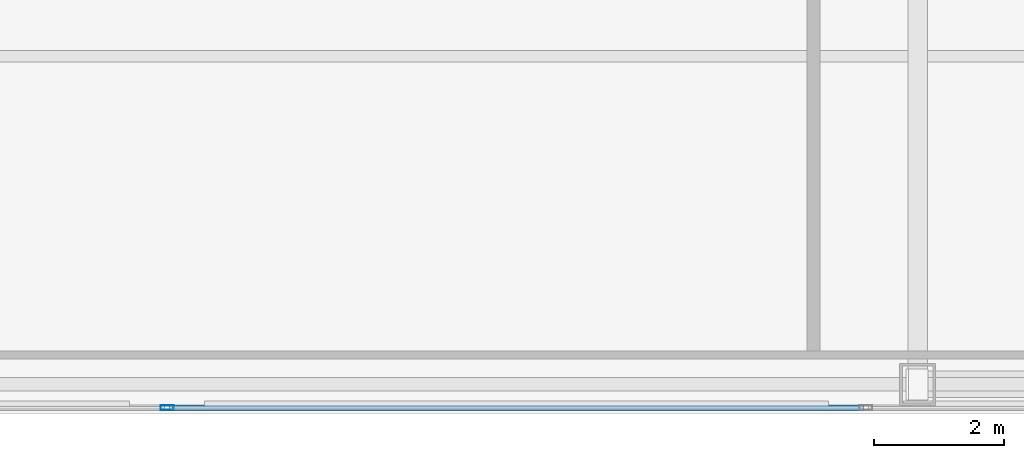
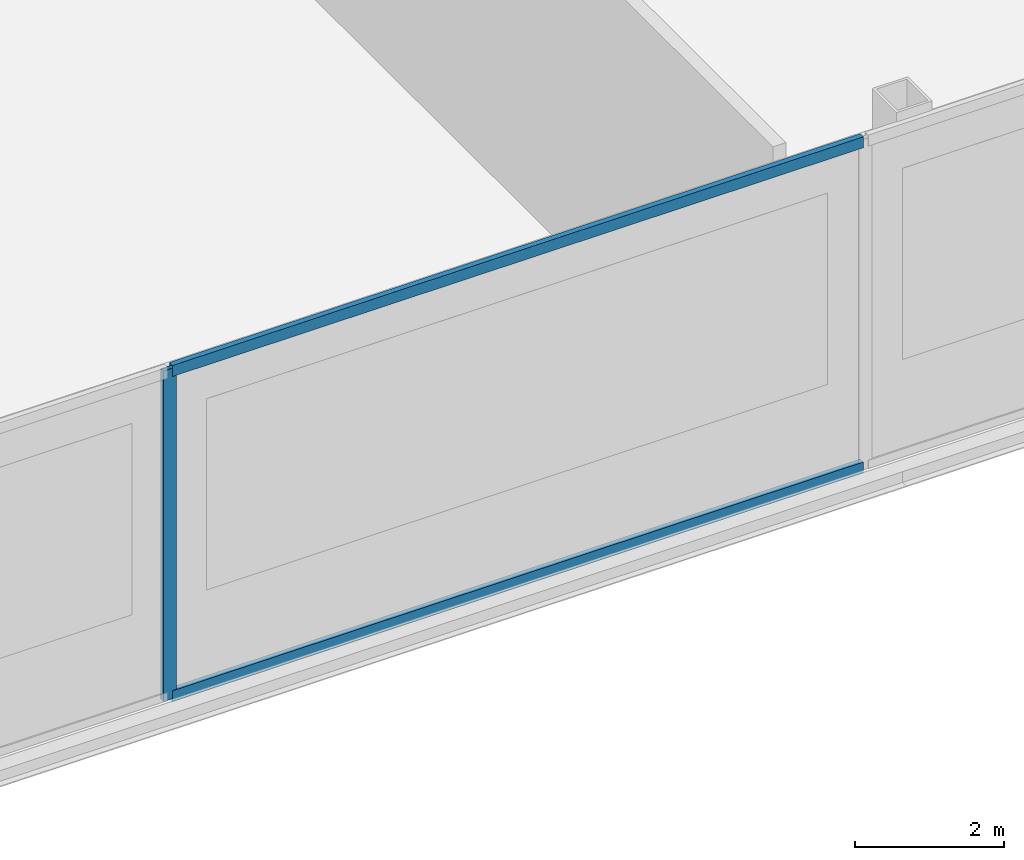
# One storey, part 6 of 22: 3 members, 1 element without a shape of its own.
"""IFC4 building model written with IfcOpenShell, lengths in metres."""

from ifc_helpers import new_model, si_unit, direction, frame, origin, origin_2d, place, context, subcontext, project, spatial, hollow_rectangle, extrude, material, material_profile, profile_set, type_object, element, aggregate, save


model = new_model("IFC4")

# Units and contexts
model_context = context("Model", 3, precision=1e-05, world=origin(), true_north=direction((0.0, 1.0)))
body_context = subcontext(model_context, "Body", "Model", "MODEL_VIEW")
ifc_project = project(units=[si_unit("LENGTHUNIT", "METRE"), si_unit("AREAUNIT", "SQUARE_METRE"), si_unit("VOLUMEUNIT", "CUBIC_METRE"), si_unit("PLANEANGLEUNIT", "RADIAN"), si_unit("MASSUNIT", "GRAM", prefix="KILO")], contexts=[model_context])

# Site, building, storey
site_placement = place(None, origin())
site = spatial("IfcSite", under=ifc_project, at=site_placement, CompositionType="ELEMENT")
building_placement = place(site_placement, origin())
building = spatial("IfcBuilding", under=site, at=building_placement, Name="Khoronbel Lancet Exchange", CompositionType="ELEMENT")
storey_placement = place(building_placement, frame((0.0, 0.0, 373.0)))
storey = spatial("IfcBuildingStorey", under=building, at=storey_placement, Name="L95", CompositionType="ELEMENT", Elevation=373.0)

# Curtain wall, members
ifc_material_1 = material(Name="Low-E Solar Control Insulating Glass", Category="glass")
curtain_wall_type = type_object("IfcCurtainWallType", Name="CW-6", PredefinedType="NOTDEFINED", material=ifc_material_1)
curtain_wall_placement = place(storey_placement, origin())
curtain_wall = element("IfcCurtainWall", 1, at=curtain_wall_placement, inside=storey, type_object=curtain_wall_type, Name="Unitised curtain wall CW-L95-E12", PredefinedType="NOTDEFINED")
ifc_material_2 = material(Name="Bronze-Anodised Aluminium 6063-T6", Category="aluminium")
ifc_material_profile_1 = material_profile(ifc_material_2, hollow_rectangle(XDim=0.074951171875, YDim=0.199951171875, WallThickness=0.0048828125, at=origin_2d()), Name="ALU MULLION 75x200")
ifc_profile_set_1 = profile_set([ifc_material_profile_1], Name="Bronze-Anodised Aluminium 6063-T6")
member_type_1 = type_object("IfcMemberType", Name="MEM-CWM2", PredefinedType="MULLION", material=ifc_profile_set_1)
member_1_placement = place(storey_placement, frame((36.449951171875, 9.7900390625, 0.0), z_axis=(0.0, 0.0, 1.0), x_axis=(0.0, -1.0, 0.0)))
member_1 = element("IfcMember", 2, at=member_1_placement, type_object=member_type_1, Name="CW6 mullion 3", PredefinedType="MULLION", context=body_context, shape_type="SweptSolid", body=[
    extrude(hollow_rectangle(XDim=0.074951171875, YDim=0.199951171875, WallThickness=0.0048828125, at=origin_2d()), origin(), (0.0, 0.0, 1.0), 5.39990234375),
])
ifc_material_profile_2 = material_profile(ifc_material_2, hollow_rectangle(XDim=0.0849609375, YDim=0.179931640625, WallThickness=0.0048828125, at=origin_2d()), Name="ALU TRANSOM 85x180")
ifc_profile_set_2 = profile_set([ifc_material_profile_2], Name="Bronze-Anodised Aluminium 6063-T6")
member_type_2 = type_object("IfcMemberType", Name="MEM-CWT1", PredefinedType="USERDEFINED", material=ifc_profile_set_2)
member_2_placement = place(storey_placement, frame((47.16748046875, 9.7900390625, 0.04248046875), z_axis=(-1.0, 0.0, 0.0), x_axis=(0.0, -1.0, 0.0)))
member_2 = element("IfcMember", 3, at=member_2_placement, type_object=member_type_2, Name="CW6 transom 2.1", ObjectType="TRANSOM", PredefinedType="USERDEFINED", context=body_context, shape_type="SweptSolid", body=[
    extrude(hollow_rectangle(XDim=0.0849609375, YDim=0.179931640625, WallThickness=0.0048828125, at=origin_2d()), origin(), (0.0, 0.0, 1.0), 10.679931640625),
])
member_3_placement = place(storey_placement, frame((47.16748046875, 9.7900390625, 5.357421875), z_axis=(-1.0, 0.0, 0.0), x_axis=(0.0, -1.0, 0.0)))
member_3 = element("IfcMember", 4, at=member_3_placement, type_object=member_type_2, Name="CW6 transom 2.2", ObjectType="TRANSOM", PredefinedType="USERDEFINED", context=body_context, shape_type="SweptSolid", body=[
    extrude(hollow_rectangle(XDim=0.0849609375, YDim=0.179931640625, WallThickness=0.0048828125, at=origin_2d()), origin(), (0.0, 0.0, 1.0), 10.679931640625),
])
aggregate(curtain_wall, [member_1, member_2, member_3])

save(model, "model.ifc")
